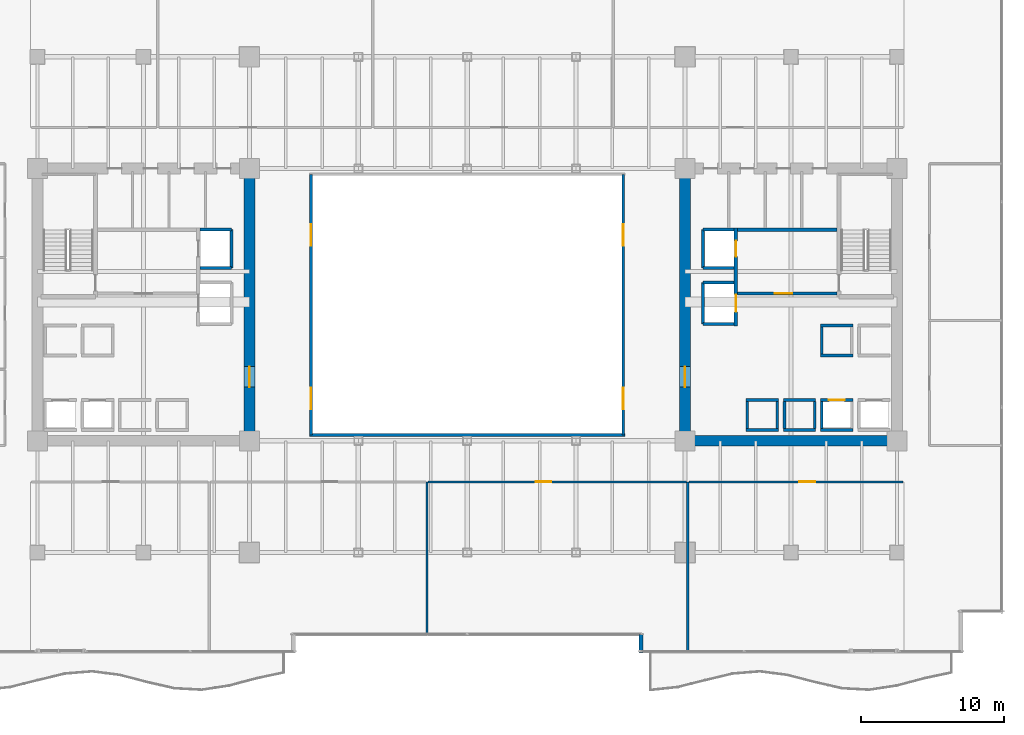
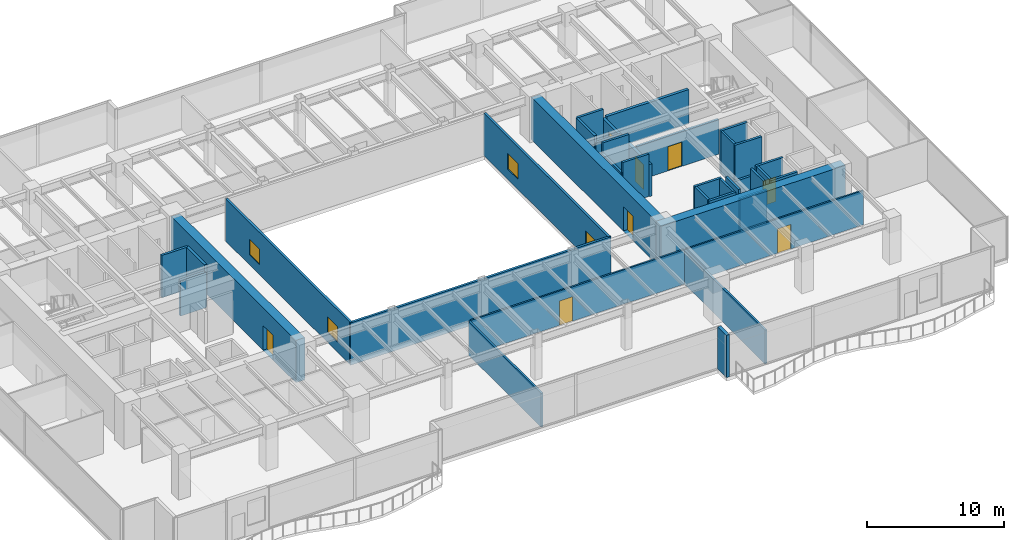
# One storey, part 25 of 32: 37 walls, 8 doors, 4 windows, 12 openings.
"""IFC4 building model written with IfcOpenShell, lengths in metres."""

import ifcopenshell
import ifcopenshell.guid

model = None  # the IFC model being written
_history = None  # IfcOwnerHistory: only IFC2X3 demands one
_inside = {}  # id of a spatial element -> (the spatial element, [elements in it])
_under = {}  # id of a project, library or spatial element -> (it, [spatial elements below it])
_declared = {}  # id of a project -> (the project, [libraries it declares])
_typed = {}  # id of a type object -> (the type object, [elements of that type])
_made_of = {}  # id of a material, layer set ... -> (it, [elements and type objects made of it])


def new_model(schema):
    """Start an empty IFC model of exactly this schema.

    Asked for "IFC4X3", IfcOpenShell would pick the latest addendum, in which some entities
    have other attributes; the version numbers below select the first issue.
    IFC2X3 requires an IfcOwnerHistory on every rooted entity: one is made here for all.
    """
    global model, _history
    if schema == "IFC4X3":
        model = ifcopenshell.file(schema_version=(4, 3, 0, 0))
    else:
        model = ifcopenshell.file(schema=schema)
    _inside.clear()
    _under.clear()
    _declared.clear()
    _typed.clear()
    _made_of.clear()
    _history = None
    if model.schema == "IFC2X3":
        org = make("IfcOrganization", Name="unknown")
        user = make(
            "IfcPersonAndOrganization",
            ThePerson=make("IfcPerson", FamilyName="unknown"),
            TheOrganization=org,
        )
        app = make(
            "IfcApplication",
            ApplicationDeveloper=org,
            Version="unknown",
            ApplicationFullName="unknown",
            ApplicationIdentifier="unknown",
        )
        _history = make(
            "IfcOwnerHistory",
            OwningUser=user,
            OwningApplication=app,
            ChangeAction="ADDED",
            CreationDate=0,
        )
    return model


def make(cls, **values):
    """One entity of the class cls with the attributes given. An attribute that is None is left unset."""
    return model.create_entity(
        cls, **{name: value for name, value in values.items() if value is not None}
    )


def rooted(cls, **values):
    """An entity with a GlobalId (a new one), such as an element, a storey or a relation."""
    return make(cls, GlobalId=ifcopenshell.guid.new(), OwnerHistory=_history, **values)


def si_unit(unit_type, name, prefix=None):
    """IfcSIUnit, for example si_unit("LENGTHUNIT", "METRE", prefix="MILLI")."""
    return make("IfcSIUnit", UnitType=unit_type, Prefix=prefix, Name=name)


def assignment(units):
    """IfcUnitAssignment: the units of a project."""
    return None if units is None else make("IfcUnitAssignment", Units=units)


def point(xyz):
    """IfcCartesianPoint."""
    return None if xyz is None else make("IfcCartesianPoint", Coordinates=xyz)


def direction(xyz):
    """IfcDirection."""
    return None if xyz is None else make("IfcDirection", DirectionRatios=xyz)


def frame(location, z_axis=None, x_axis=None):
    """IfcAxis2Placement3D, a coordinate frame: its origin and axes. An axis left out is left unset."""
    return make(
        "IfcAxis2Placement3D",
        Location=point(location),
        Axis=direction(z_axis),
        RefDirection=direction(x_axis),
    )


def frame_2d(location, x_axis=None):
    """IfcAxis2Placement2D, a coordinate frame in the plane: its origin and x axis."""
    return make(
        "IfcAxis2Placement2D", Location=point(location), RefDirection=direction(x_axis)
    )


def origin():
    """The frame at (0, 0, 0) with its axes left unset."""
    return frame((0.0, 0.0, 0.0))


def place(relative_to, where):
    """IfcLocalPlacement: puts the frame where relative to a parent placement (None: the world)."""
    return make(
        "IfcLocalPlacement", PlacementRelTo=relative_to, RelativePlacement=where
    )


def context(
    kind, dimensions, precision=None, world=None, true_north=None, identifier=None
):
    """IfcGeometricRepresentationContext, for example the 3D "Model" context."""
    return make(
        "IfcGeometricRepresentationContext",
        ContextIdentifier=identifier,
        ContextType=kind,
        CoordinateSpaceDimension=dimensions,
        Precision=precision,
        WorldCoordinateSystem=world,
        TrueNorth=true_north,
    )


def subcontext(parent, identifier, kind, view, scale=None):
    """IfcGeometricRepresentationSubContext, for example "Body" below "Model"."""
    return make(
        "IfcGeometricRepresentationSubContext",
        ContextIdentifier=identifier,
        ContextType=kind,
        ParentContext=parent,
        TargetScale=scale,
        TargetView=view,
    )


def project(units=None, contexts=None):
    """IfcProject with its units and contexts."""
    return rooted(
        "IfcProject",
        Name="project",
        RepresentationContexts=contexts,
        UnitsInContext=assignment(units),
    )


def spatial(cls, under=None, at=None, **own):
    """A site, building, storey or space (cls), placed at a placement, below another one or the project."""
    s = rooted(cls, ObjectPlacement=at, **own)
    if under is not None:
        _under.setdefault(under.id(), (under, []))[1].append(s)
    return s


def profile(cls, at=None, kind="AREA", **sizes):
    """A parametric profile (cls). Its sizes go by their IFC names, for example OverallWidth=200.0."""
    return make(cls, ProfileType=kind, Position=at, **sizes)


def rectangle(**sizes):
    """IfcRectangleProfileDef."""
    return profile("IfcRectangleProfileDef", **sizes)


def extrude(swept, where, along, depth):
    """IfcExtrudedAreaSolid: the profile swept, set in the frame where, extruded along a direction by depth."""
    return make(
        "IfcExtrudedAreaSolid",
        SweptArea=swept,
        Position=where,
        ExtrudedDirection=direction(along),
        Depth=depth,
    )


def shape(context_of_items, identifier, shape_type, items):
    """IfcShapeRepresentation: the items that make up one representation, for example the "Body"."""
    return make(
        "IfcShapeRepresentation",
        ContextOfItems=context_of_items,
        RepresentationIdentifier=identifier,
        RepresentationType=shape_type,
        Items=items,
    )


def source(mapping_origin, context_of_items, identifier, shape_type, items):
    """IfcRepresentationMap: a shape defined once, which mapped items show again and again."""
    return make(
        "IfcRepresentationMap",
        MappingOrigin=mapping_origin,
        MappedRepresentation=shape(context_of_items, identifier, shape_type, items),
    )


def transform(
    local_origin,
    x_axis=None,
    y_axis=None,
    z_axis=None,
    scale=None,
    scale2=None,
    scale3=None,
    uniform=True,
):
    """IfcCartesianTransformationOperator3D, or its non-uniform kind. x_axis, y_axis, z_axis: its Axis1, 2, 3."""
    if uniform:
        return make(
            "IfcCartesianTransformationOperator3D",
            Axis1=direction(x_axis),
            Axis2=direction(y_axis),
            LocalOrigin=point(local_origin),
            Scale=scale,
            Axis3=direction(z_axis),
        )
    return make(
        "IfcCartesianTransformationOperator3DnonUniform",
        Axis1=direction(x_axis),
        Axis2=direction(y_axis),
        LocalOrigin=point(local_origin),
        Scale=scale,
        Axis3=direction(z_axis),
        Scale2=scale2,
        Scale3=scale3,
    )


def mapped(mapping_source, mapping_target):
    """IfcMappedItem: shows the shape of a source again, moved by a transform."""
    return make(
        "IfcMappedItem", MappingSource=mapping_source, MappingTarget=mapping_target
    )


def material(Name=None, Category=None):
    """IfcMaterial."""
    return make("IfcMaterial", Name=Name, Category=Category)


def layer(
    of_material, thickness, ventilated=None, Name=None, Category=None, Priority=None
):
    """IfcMaterialLayer: one layer of a wall or slab, of a material (None: an air gap)."""
    return make(
        "IfcMaterialLayer",
        Material=of_material,
        LayerThickness=thickness,
        IsVentilated=ventilated,
        Name=Name,
        Category=Category,
        Priority=Priority,
    )


def layer_set(layers, Name=None):
    """IfcMaterialLayerSet."""
    return make("IfcMaterialLayerSet", MaterialLayers=layers, LayerSetName=Name)


def made_of(thing, what):
    """Note that an element or type object is made of a material, layer set ...; save() writes the relation."""
    if what is not None:
        _made_of.setdefault(what.id(), (what, []))[1].append(thing)
    return thing


def type_object(cls, material=None, **own):
    """A type object (cls), such as IfcWallType, which elements share."""
    return made_of(rooted(cls, **own), material)


def type_shapes(of_type, sources):
    """Give a type object the sources (RepresentationMaps) that its elements show as mapped items."""
    of_type.RepresentationMaps = sources


def element(
    cls,
    number,
    at=None,
    inside=None,
    cuts=None,
    type_object=None,
    material=None,
    context=None,
    identifier="Body",
    shape_type=None,
    held_by="IfcProductDefinitionShape",
    body=None,
    shapes=None,
    **own,
):
    """One element of the class cls, such as IfcWall. Its Tag is "e" and its number.

    at: its placement. inside: the storey or other place that contains it. cuts: it is an
    opening in that element (IfcRelVoidsElement). A single representation is given by context,
    identifier, shape_type and body (its items); several are given by shapes. held_by: the class
    of the entity that holds the representations. save() writes the other relations.
    """
    e = rooted(cls, Tag="e%d" % number, ObjectPlacement=at, **own)
    if body is not None:
        shapes = [shape(context, identifier, shape_type, body)]
    if shapes is not None:
        e.Representation = make(held_by, Representations=shapes)
    if inside is not None:
        _inside.setdefault(inside.id(), (inside, []))[1].append(e)
    if cuts is not None:
        rooted(
            "IfcRelVoidsElement", RelatingBuildingElement=cuts, RelatedOpeningElement=e
        )
    if type_object is not None:
        _typed.setdefault(type_object.id(), (type_object, []))[1].append(e)
    return made_of(e, material)


def fill(opening, filler):
    """IfcRelFillsElement: the door or window that sits in an opening."""
    return rooted(
        "IfcRelFillsElement",
        RelatingOpeningElement=opening,
        RelatedBuildingElement=filler,
    )


def aggregate(whole, parts):
    """IfcRelAggregates: a whole, such as a stair, and the parts it consists of."""
    return rooted("IfcRelAggregates", RelatingObject=whole, RelatedObjects=parts)


def save(model, path):
    """Write the relations noted so far, then the file.

    IfcRelAggregates (storeys below a building ...), IfcRelContainedInSpatialStructure (elements
    in a storey), IfcRelDefinesByType, IfcRelAssociatesMaterial and IfcRelDeclares: one each for
    every whole, place, type object, material and project.
    """
    for whole, parts in _under.values():
        aggregate(whole, parts)
    for where, things in _inside.values():
        rooted(
            "IfcRelContainedInSpatialStructure",
            RelatedElements=things,
            RelatingStructure=where,
        )
    for kind, things in _typed.values():
        rooted("IfcRelDefinesByType", RelatedObjects=things, RelatingType=kind)
    for what, things in _made_of.values():
        rooted("IfcRelAssociatesMaterial", RelatedObjects=things, RelatingMaterial=what)
    for by, libraries in _declared.values():
        rooted("IfcRelDeclares", RelatingContext=by, RelatedDefinitions=libraries)
    model.write(path)


model = new_model("IFC4")

# Units and contexts
model_context = context("Model", 3, precision=1e-05, world=origin(), true_north=direction((0.0, 1.0)))
body_context = subcontext(model_context, "Body", "Model", "MODEL_VIEW")
ifc_project = project(units=[si_unit("LENGTHUNIT", "METRE"), si_unit("AREAUNIT", "SQUARE_METRE"), si_unit("VOLUMEUNIT", "CUBIC_METRE"), si_unit("PLANEANGLEUNIT", "RADIAN"), si_unit("MASSUNIT", "GRAM", prefix="KILO")], contexts=[model_context])

# Site, building, storey
site_placement = place(None, origin())
site = spatial("IfcSite", under=ifc_project, at=site_placement, CompositionType="ELEMENT")
building_placement = place(site_placement, origin())
building = spatial("IfcBuilding", under=site, at=building_placement, Name="Haelvirn Gate Laboratories", CompositionType="ELEMENT")
storey_placement = place(building_placement, frame((0.0, 0.0, 33.39990234375)))
storey = spatial("IfcBuildingStorey", under=building, at=storey_placement, Name="L08", CompositionType="ELEMENT", Elevation=33.39990234375)

# Walls
ifc_material_1 = material(Name="Thermally-broken bronze aluminium rainscreen & mineral wool", Category="aluminium")
ifc_layer_1 = layer(ifc_material_1, 0.280029296875, Name="EW-TERR-280")
ifc_layer_set_1 = layer_set([ifc_layer_1], Name="Thermally-broken bronze aluminium rainscreen & mineral wool")
wall_type_1 = type_object("IfcWallType", Name="EW-TERR-280", PredefinedType="STANDARD", material=ifc_layer_set_1)
wall_1_placement = place(storey_placement, frame((49.5400390625, 1.2880859375, 0.0), z_axis=(0.0, 0.0, 1.0), x_axis=(0.0, -1.0, 0.0)))
element("IfcWall", 1, at=wall_1_placement, inside=storey, type_object=wall_type_1, Name="L08 Atrium Recess Bronze Return Wall 03", PredefinedType="STANDARD", context=body_context, shape_type="SweptSolid", body=[
    extrude(rectangle(XDim=1.2880859375, YDim=0.280029296875, at=frame_2d((0.64404296875, 0.0))), origin(), (0.0, 0.0, 1.0), 3.780029296875),
])
ifc_material_2 = material(Name="Double-layer acoustic gypsum laboratory partition", Category="gypsum")
ifc_layer_2 = layer(ifc_material_2, 0.159912109375, Name="IW-ACOUST-160")
ifc_layer_set_2 = layer_set([ifc_layer_2], Name="Double-layer acoustic gypsum laboratory partition")
wall_type_2 = type_object("IfcWallType", Name="IW-ACOUST-160", PredefinedType="PARTITIONING", material=ifc_layer_set_2)
wall_2_placement = place(storey_placement, frame((34.60009765625, 1.31005859375, 0.0), z_axis=(0.0, 0.0, 1.0), x_axis=(0.0, 1.0, 0.0)))
element("IfcWall", 2, at=wall_2_placement, inside=storey, type_object=wall_type_2, Name="L08 Interior Wall IW-L08-SDIV-02", PredefinedType="PARTITIONING", context=body_context, shape_type="SweptSolid", body=[
    extrude(rectangle(XDim=10.6298828125, YDim=0.159912109375, at=frame_2d((5.31494140625, 0.0))), origin(), (0.0, 0.0, 1.0), 3.01513671875),
])
wall_3_placement = place(storey_placement, frame((52.800048828125, 0.110107421875, 0.0), z_axis=(0.0, 0.0, 1.0), x_axis=(0.0, 1.0, 0.0)))
element("IfcWall", 3, at=wall_3_placement, inside=storey, type_object=wall_type_2, Name="L08 Interior Wall IW-L08-SDIV-03", PredefinedType="PARTITIONING", context=body_context, shape_type="SweptSolid", body=[
    extrude(rectangle(XDim=11.829833984375, YDim=0.159912109375, at=frame_2d((5.9150390625, 0.0))), origin(), (0.0, 0.0, 1.0), 3.01513671875),
])

# Wall, openings, windows
ifc_material_3 = material(Name="Tempered fire-rated borosilicate glass & anodised aluminium", Category="aluminium")
ifc_layer_3 = layer(ifc_material_3, 0.195068359375, Name="IW-GLAZ-200")
ifc_layer_set_3 = layer_set([ifc_layer_3], Name="Tempered fire-rated borosilicate glass & anodised aluminium")
wall_type_3 = type_object("IfcWallType", Name="IW-GLAZ-200", PredefinedType="SOLIDWALL", material=ifc_layer_set_3)
wall_4_placement = place(storey_placement, frame((26.5, 15.199951171875, 0.0), z_axis=(0.0, 0.0, 1.0), x_axis=(0.0, 1.0, 0.0)))
wall_4 = element("IfcWall", 4, at=wall_4_placement, inside=storey, type_object=wall_type_3, Name="L08 Interior Wall IW-L08-ATRIUM-W", PredefinedType="SOLIDWALL", context=body_context, shape_type="SweptSolid", body=[
    extrude(rectangle(XDim=18.199951171875, YDim=0.195068359375, at=frame_2d((9.10009765625, 0.0))), origin(), (0.0, 0.0, 1.0), 3.780029296875),
])
opening_1_placement = place(wall_4_placement, frame((1.800048828125, 0.0, 0.89990234375)))
opening_1 = element("IfcOpeningElement", 5, at=opening_1_placement, cuts=wall_4, Name="Opening W5", PredefinedType="OPENING", context=body_context, shape_type="SweptSolid", body=[
    extrude(rectangle(XDim=1.5, YDim=1.39990234375, at=frame_2d((0.75, 0.699951171875))), frame((0.0, 0.107421875, 0.0), z_axis=(0.0, -1.0, 0.0), x_axis=(1.0, 0.0, 0.0)), (0.0, 0.0, 1.0), 0.215087890625),
])
opening_2_placement = place(wall_4_placement, frame((13.199951171875, 0.0, 0.89990234375)))
opening_2 = element("IfcOpeningElement", 6, at=opening_2_placement, cuts=wall_4, Name="Opening W5", PredefinedType="OPENING", context=body_context, shape_type="SweptSolid", body=[
    extrude(rectangle(XDim=1.5, YDim=1.39990234375, at=frame_2d((0.75, 0.699951171875))), frame((0.0, 0.107421875, 0.0), z_axis=(0.0, -1.0, 0.0), x_axis=(1.0, 0.0, 0.0)), (0.0, 0.0, 1.0), 0.215087890625),
])
ifc_material_4 = material(Name="Fire-rated EI 120 borosilicate atrium vision glazing", Category="glass")
window_type = type_object("IfcWindowType", Name="WN-ATR-1500", PartitioningType="SINGLE_PANEL", PredefinedType="WINDOW", material=ifc_material_4)
shared_shape_1 = source(origin(), body_context, "Body", "SweptSolid", [
    extrude(rectangle(XDim=1.5, YDim=1.39990234375, at=frame_2d((0.75, 0.699951171875))), frame((0.0, 0.030029296875, 0.0), z_axis=(0.0, -1.0, 0.0), x_axis=(1.0, 0.0, 0.0)), (0.0, 0.0, 1.0), 0.06005859375),
])
type_shapes(window_type, [shared_shape_1])
window_1_placement = place(opening_1_placement, origin())
window_1 = element("IfcWindow", 7, at=window_1_placement, inside=storey, type_object=window_type, Name="L08 Atrium Observation Window 1", OverallHeight=1.39990234375, OverallWidth=1.5, PartitioningType="SINGLE_PANEL", PredefinedType="WINDOW", context=body_context, shape_type="MappedRepresentation", body=[
    mapped(shared_shape_1, transform((0.0, 0.0, 0.0), scale=1.0)),
])
fill(opening_1, window_1)
window_2_placement = place(opening_2_placement, origin())
window_2 = element("IfcWindow", 8, at=window_2_placement, inside=storey, type_object=window_type, Name="L08 Atrium Observation Window 2", OverallHeight=1.39990234375, OverallWidth=1.5, PartitioningType="SINGLE_PANEL", PredefinedType="WINDOW", context=body_context, shape_type="MappedRepresentation", body=[
    mapped(shared_shape_1, transform((0.0, 0.0, 0.0), scale=1.0)),
])
fill(opening_2, window_2)

wall_5_placement = place(storey_placement, frame((48.300048828125, 15.199951171875, 0.0), z_axis=(0.0, 0.0, 1.0), x_axis=(0.0, 1.0, 0.0)))
wall_5 = element("IfcWall", 9, at=wall_5_placement, inside=storey, type_object=wall_type_3, Name="L08 Interior Wall IW-L08-ATRIUM-E", PredefinedType="SOLIDWALL", context=body_context, shape_type="SweptSolid", body=[
    extrude(rectangle(XDim=18.199951171875, YDim=0.195068359375, at=frame_2d((9.10009765625, 0.0))), origin(), (0.0, 0.0, 1.0), 3.780029296875),
])
opening_3_placement = place(wall_5_placement, frame((1.800048828125, 0.0, 0.89990234375)))
opening_3 = element("IfcOpeningElement", 10, at=opening_3_placement, cuts=wall_5, Name="Opening W5", PredefinedType="OPENING", context=body_context, shape_type="SweptSolid", body=[
    extrude(rectangle(XDim=1.5, YDim=1.39990234375, at=frame_2d((0.75, 0.699951171875))), frame((0.0, 0.107421875, 0.0), z_axis=(0.0, -1.0, 0.0), x_axis=(1.0, 0.0, 0.0)), (0.0, 0.0, 1.0), 0.215087890625),
])
opening_4_placement = place(wall_5_placement, frame((13.199951171875, 0.0, 0.89990234375)))
opening_4 = element("IfcOpeningElement", 11, at=opening_4_placement, cuts=wall_5, Name="Opening W5", PredefinedType="OPENING", context=body_context, shape_type="SweptSolid", body=[
    extrude(rectangle(XDim=1.5, YDim=1.39990234375, at=frame_2d((0.75, 0.699951171875))), frame((0.0, 0.107421875, 0.0), z_axis=(0.0, -1.0, 0.0), x_axis=(1.0, 0.0, 0.0)), (0.0, 0.0, 1.0), 0.215087890625),
])
window_3_placement = place(opening_3_placement, origin())
window_3 = element("IfcWindow", 12, at=window_3_placement, inside=storey, type_object=window_type, Name="L08 Atrium Observation Window 1", OverallHeight=1.39990234375, OverallWidth=1.5, PartitioningType="SINGLE_PANEL", PredefinedType="WINDOW", context=body_context, shape_type="MappedRepresentation", body=[
    mapped(shared_shape_1, transform((0.0, 0.0, 0.0), scale=1.0)),
])
fill(opening_3, window_3)
window_4_placement = place(opening_4_placement, origin())
window_4 = element("IfcWindow", 13, at=window_4_placement, inside=storey, type_object=window_type, Name="L08 Atrium Observation Window 2", OverallHeight=1.39990234375, OverallWidth=1.5, PartitioningType="SINGLE_PANEL", PredefinedType="WINDOW", context=body_context, shape_type="MappedRepresentation", body=[
    mapped(shared_shape_1, transform((0.0, 0.0, 0.0), scale=1.0)),
])
fill(opening_4, window_4)

# Wall
wall_6_placement = place(storey_placement, frame((26.39990234375, 15.199951171875, 0.0), z_axis=(0.0, 0.0, 1.0), x_axis=(1.0, 0.0, 0.0)))
element("IfcWall", 14, at=wall_6_placement, inside=storey, type_object=wall_type_3, Name="L08 Interior Wall IW-L08-ATRIUM-S", PredefinedType="SOLIDWALL", context=body_context, shape_type="SweptSolid", body=[
    extrude(rectangle(XDim=22.0, YDim=0.195068359375, at=frame_2d((11.0, 0.0))), origin(), (0.0, 0.0, 1.0), 3.780029296875),
])

# Wall, opening, door
ifc_material_5 = material(Name="Acoustic mineral-wool gypsum board partition", Category="gypsum")
ifc_layer_4 = layer(ifc_material_5, 0.139892578125, Name="IW-PART-140")
ifc_layer_set_4 = layer_set([ifc_layer_4], Name="Acoustic mineral-wool gypsum board partition")
wall_type_4 = type_object("IfcWallType", Name="IW-PART-140", PredefinedType="PARTITIONING", material=ifc_layer_set_4)
wall_7_placement = place(storey_placement, frame((34.679931640625, 11.93994140625, 0.0), z_axis=(0.0, 0.0, 1.0), x_axis=(1.0, 0.0, 0.0)))
wall_7 = element("IfcWall", 15, at=wall_7_placement, inside=storey, type_object=wall_type_4, Name="L08 Interior Wall IW-L08-SCORR-03", PredefinedType="PARTITIONING", context=body_context, shape_type="SweptSolid", body=[
    extrude(rectangle(XDim=18.0400390625, YDim=0.139892578125, at=frame_2d((9.02001953125, 0.0))), origin(), (0.0, 0.0, 1.0), 3.065185546875),
])
opening_5_placement = place(wall_7_placement, frame((7.49560546875, 0.0, 0.0)))
opening_5 = element("IfcOpeningElement", 16, at=opening_5_placement, cuts=wall_7, Name="Opening D1", PredefinedType="OPENING", context=body_context, shape_type="SweptSolid", body=[
    extrude(rectangle(XDim=1.10009765625, YDim=2.179931640625, at=frame_2d((0.550048828125, 1.08984375))), frame((0.0, 0.080078125, 0.0), z_axis=(0.0, -1.0, 0.0), x_axis=(1.0, 0.0, 0.0)), (0.0, 0.0, 1.0), 0.159912109375),
])
ifc_material_6 = material(Name="Vision-panel acoustic solid-core timber lab door", Category="wood")
door_type_1 = type_object("IfcDoorType", Name="DR-LAB-1100", OperationType="NOTDEFINED", PredefinedType="DOOR", material=ifc_material_6)
shared_shape_2 = source(origin(), body_context, "Body", "SweptSolid", [
    extrude(rectangle(XDim=1.10009765625, YDim=2.179931640625, at=frame_2d((0.550048828125, 1.08984375))), frame((0.0, 0.02490234375, 0.0), z_axis=(0.0, -1.0, 0.0), x_axis=(1.0, 0.0, 0.0)), (0.0, 0.0, 1.0), 0.050048828125),
])
type_shapes(door_type_1, [shared_shape_2])
door_1_placement = place(opening_5_placement, origin())
door_1 = element("IfcDoor", 17, at=door_1_placement, inside=storey, type_object=door_type_1, Name="L08 Floor Hydration & Tea Servery Door S3", OperationType="SINGLE_SWING_LEFT", OverallHeight=2.179931640625, OverallWidth=1.10009765625, PredefinedType="DOOR", context=body_context, shape_type="MappedRepresentation", body=[
    mapped(shared_shape_2, transform((0.0, 0.0, 0.0), scale=1.0)),
])
fill(opening_5, door_1)

wall_8_placement = place(storey_placement, frame((52.8798828125, 11.93994140625, 0.0), z_axis=(0.0, 0.0, 1.0), x_axis=(1.0, 0.0, 0.0)))
wall_8 = element("IfcWall", 18, at=wall_8_placement, inside=storey, type_object=wall_type_4, Name="L08 Interior Wall IW-L08-SCORR-04", PredefinedType="PARTITIONING", context=body_context, shape_type="SweptSolid", body=[
    extrude(rectangle(XDim=14.940185546875, YDim=0.139892578125, at=frame_2d((7.47021484375, 0.0))), origin(), (0.0, 0.0, 1.0), 3.065185546875),
])
opening_6_placement = place(wall_8_placement, frame((7.70849609375, 0.0, 0.0)))
opening_6 = element("IfcOpeningElement", 19, at=opening_6_placement, cuts=wall_8, Name="Opening D1", PredefinedType="OPENING", context=body_context, shape_type="SweptSolid", body=[
    extrude(rectangle(XDim=1.10009765625, YDim=2.179931640625, at=frame_2d((0.550048828125, 1.08984375))), frame((0.0, 0.080078125, 0.0), z_axis=(0.0, -1.0, 0.0), x_axis=(1.0, 0.0, 0.0)), (0.0, 0.0, 1.0), 0.159912109375),
])
door_2_placement = place(opening_6_placement, origin())
door_2 = element("IfcDoor", 20, at=door_2_placement, inside=storey, type_object=door_type_1, Name="L08 Researcher Break Pantry Door S4", OperationType="SINGLE_SWING_RIGHT", OverallHeight=2.179931640625, OverallWidth=1.10009765625, PredefinedType="DOOR", context=body_context, shape_type="MappedRepresentation", body=[
    mapped(shared_shape_2, transform((0.0, 0.0, 0.0), scale=1.0)),
])
fill(opening_6, door_2)

# Walls
ifc_material_7 = material(Name="Concrete C40/50", Category="concrete")
ifc_layer_5 = layer(ifc_material_7, 0.179931640625, Name="IW-SHAFT-180")
ifc_layer_set_5 = layer_set([ifc_layer_5], Name="Concrete C40/50")
wall_type_5 = type_object("IfcWallType", Name="IW-SHAFT-180", PredefinedType="SOLIDWALL", material=ifc_layer_set_5)
for number, where, z_axis, x_axis, name in (
    (21, (62.14990234375, 15.64990234375, 0.0), (0.0, 0.0, 1.0), (0.0, 1.0, 0.0), "L08 Interior Wall IW-L08-PL4-SD"),
    (22, (59.550048828125, 15.64990234375, 0.0), (0.0, 0.0, 1.0), (0.0, 1.0, 0.0), "L08 Interior Wall IW-L08-PL7-SD"),
    (23, (61.64990234375, 15.64990234375, 0.0), (0.0, 0.0, 1.0), (0.0, 1.0, 0.0), "L08 Interior Wall IW-L08-PL7-SDE"),
    (24, (56.949951171875, 15.64990234375, 0.0), (0.0, 0.0, 1.0), (0.0, 1.0, 0.0), "L08 Interior Wall IW-L08-PL8-SD"),
    (25, (59.050048828125, 15.64990234375, 0.0), (0.0, 0.0, 1.0), (0.0, 1.0, 0.0), "L08 Interior Wall IW-L08-PL8-SDE"),
):
    element("IfcWall", number, at=place(storey_placement, frame(where, z_axis=z_axis, x_axis=x_axis)), inside=storey, type_object=wall_type_5, Name=name, PredefinedType="SOLIDWALL", context=body_context, shape_type="SweptSolid", body=[
        extrude(rectangle(XDim=1.900146484375, YDim=0.179931640625, at=frame_2d((0.9501953125, 0.0))), origin(), (0.0, 0.0, 1.0), 3.780029296875),
    ])
wall_9_placement = place(storey_placement, frame((62.14990234375, 20.85009765625, 0.0), z_axis=(0.0, 0.0, 1.0), x_axis=(0.0, 1.0, 0.0)))
element("IfcWall", 26, at=wall_9_placement, inside=storey, type_object=wall_type_5, Name="L08 Interior Wall IW-L08-PL12-SD", PredefinedType="SOLIDWALL", context=body_context, shape_type="SweptSolid", body=[
    extrude(rectangle(XDim=1.89990234375, YDim=0.179931640625, at=frame_2d((0.949951171875, 0.0))), origin(), (0.0, 0.0, 1.0), 3.780029296875),
])
ifc_layer_6 = layer(ifc_material_7, 0.199951171875, Name="IW-SHAFT-200")
ifc_layer_set_6 = layer_set([ifc_layer_6], Name="Concrete C40/50")
wall_type_6 = type_object("IfcWallType", Name="IW-SHAFT-200", PredefinedType="SOLIDWALL", material=ifc_layer_set_6)
wall_10_placement = place(storey_placement, frame((20.949951171875, 26.85009765625, 0.0), z_axis=(0.0, 0.0, 1.0), x_axis=(0.0, 1.0, 0.0)))
element("IfcWall", 27, at=wall_10_placement, inside=storey, type_object=wall_type_6, Name="L08 Interior Wall IW-L08-FL1-BK", PredefinedType="SOLIDWALL", context=body_context, shape_type="SweptSolid", body=[
    extrude(rectangle(XDim=2.699951171875, YDim=0.199951171875, at=frame_2d((1.35009765625, 0.0))), origin(), (0.0, 0.0, 1.0), 3.780029296875),
])
wall_11_placement = place(storey_placement, frame((18.760009765625, 29.550048828125, 0.0), z_axis=(0.0, 0.0, 1.0), x_axis=(1.0, 0.0, 0.0)))
element("IfcWall", 28, at=wall_11_placement, inside=storey, type_object=wall_type_6, Name="L08 Interior Wall IW-L08-FL1-N", PredefinedType="SOLIDWALL", context=body_context, shape_type="SweptSolid", body=[
    extrude(rectangle(XDim=2.18994140625, YDim=0.199951171875, at=frame_2d((1.094970703125, 0.0))), origin(), (0.0, 0.0, 1.0), 3.780029296875),
])
wall_12_placement = place(storey_placement, frame((18.760009765625, 26.85009765625, 0.0), z_axis=(0.0, 0.0, 1.0), x_axis=(1.0, 0.0, 0.0)))
element("IfcWall", 29, at=wall_12_placement, inside=storey, type_object=wall_type_6, Name="L08 Interior Wall IW-L08-FL1-S", PredefinedType="SOLIDWALL", context=body_context, shape_type="SweptSolid", body=[
    extrude(rectangle(XDim=2.18994140625, YDim=0.199951171875, at=frame_2d((1.094970703125, 0.0))), origin(), (0.0, 0.0, 1.0), 3.177001953125),
])

# Wall, opening, door
wall_13_placement = place(storey_placement, frame((62.070068359375, 17.64990234375, 0.0), z_axis=(0.0, 0.0, 1.0), x_axis=(1.0, 0.0, 0.0)))
wall_13 = element("IfcWall", 30, at=wall_13_placement, inside=storey, type_object=wall_type_6, Name="L08 Interior Wall IW-L08-PL4-FR", PredefinedType="SOLIDWALL", context=body_context, shape_type="SweptSolid", body=[
    extrude(rectangle(XDim=2.260009765625, YDim=0.199951171875, at=frame_2d((1.1298828125, 0.0))), origin(), (0.0, 0.0, 1.0), 3.780029296875),
])
opening_7_placement = place(wall_13_placement, frame((0.580078125, 0.0, 0.0)))
opening_7 = element("IfcOpeningElement", 31, at=opening_7_placement, cuts=wall_13, Name="Opening LD2", PredefinedType="OPENING", context=body_context, shape_type="SweptSolid", body=[
    extrude(rectangle(XDim=1.10009765625, YDim=2.219970703125, at=frame_2d((0.550048828125, 1.10986328125))), frame((0.0, 0.10986328125, 0.0), z_axis=(0.0, -1.0, 0.0), x_axis=(1.0, 0.0, 0.0)), (0.0, 0.0, 1.0), 0.219970703125),
])
ifc_material_8 = material(Name="Bronze stainless 316L sliding lift landing door")
door_type_2 = type_object("IfcDoorType", Name="DR-LD-1100", OperationType="NOTDEFINED", PredefinedType="USERDEFINED", material=ifc_material_8)
shared_shape_3 = source(origin(), body_context, "Body", "SweptSolid", [
    extrude(rectangle(XDim=1.10009765625, YDim=2.219970703125, at=frame_2d((0.550048828125, 1.10986328125))), frame((0.0, 0.02490234375, 0.0), z_axis=(0.0, -1.0, 0.0), x_axis=(1.0, 0.0, 0.0)), (0.0, 0.0, 1.0), 0.050048828125),
])
type_shapes(door_type_2, [shared_shape_3])
door_3_placement = place(opening_7_placement, origin())
door_3 = element("IfcDoor", 32, at=door_3_placement, inside=storey, type_object=door_type_2, Name="L08 Passenger Lift PL4 Landing Door", ObjectType="LANDING_DOOR", OperationType="SLIDING_TO_RIGHT", OverallHeight=2.219970703125, OverallWidth=1.10009765625, PredefinedType="USERDEFINED", context=body_context, shape_type="MappedRepresentation", body=[
    mapped(shared_shape_3, transform((0.0, 0.0, 0.0), scale=1.0)),
])
fill(opening_7, door_3)

# Walls
wall_14_placement = place(storey_placement, frame((62.070068359375, 15.550048828125, 0.0), z_axis=(0.0, 0.0, 1.0), x_axis=(1.0, 0.0, 0.0)))
element("IfcWall", 33, at=wall_14_placement, inside=storey, type_object=wall_type_6, Name="L08 Interior Wall IW-L08-PL4-BK", PredefinedType="SOLIDWALL", context=body_context, shape_type="SweptSolid", body=[
    extrude(rectangle(XDim=2.260009765625, YDim=0.199951171875, at=frame_2d((1.1298828125, 0.0))), origin(), (0.0, 0.0, 1.0), 3.780029296875),
])
for number, where, z_axis, x_axis, name in (
    (34, (59.469970703125, 17.64990234375, 0.0), (0.0, 0.0, 1.0), (1.0, 0.0, 0.0), "L08 Interior Wall IW-L08-PL7-FR"),
    (35, (59.469970703125, 15.550048828125, 0.0), (0.0, 0.0, 1.0), (1.0, 0.0, 0.0), "L08 Interior Wall IW-L08-PL7-BK"),
):
    element("IfcWall", number, at=place(storey_placement, frame(where, z_axis=z_axis, x_axis=x_axis)), inside=storey, type_object=wall_type_6, Name=name, PredefinedType="SOLIDWALL", context=body_context, shape_type="SweptSolid", body=[
        extrude(rectangle(XDim=2.260009765625, YDim=0.199951171875, at=frame_2d((1.1298828125, 0.0))), origin(), (0.0, 0.0, 1.0), 3.065185546875),
    ])
for number, where, z_axis, x_axis, name in (
    (36, (56.8701171875, 17.64990234375, 0.0), (0.0, 0.0, 1.0), (1.0, 0.0, 0.0), "L08 Interior Wall IW-L08-PL8-FR"),
    (37, (56.8701171875, 15.550048828125, 0.0), (0.0, 0.0, 1.0), (1.0, 0.0, 0.0), "L08 Interior Wall IW-L08-PL8-BK"),
):
    element("IfcWall", number, at=place(storey_placement, frame(where, z_axis=z_axis, x_axis=x_axis)), inside=storey, type_object=wall_type_6, Name=name, PredefinedType="SOLIDWALL", context=body_context, shape_type="SweptSolid", body=[
        extrude(rectangle(XDim=2.259765625, YDim=0.199951171875, at=frame_2d((1.1298828125, 0.0))), origin(), (0.0, 0.0, 1.0), 3.780029296875),
    ])
for number, where, z_axis, x_axis, name in (
    (38, (62.070068359375, 20.75, 0.0), (0.0, 0.0, 1.0), (1.0, 0.0, 0.0), "L08 Interior Wall IW-L08-PL12-FR"),
    (39, (62.070068359375, 22.85009765625, 0.0), (0.0, 0.0, 1.0), (1.0, 0.0, 0.0), "L08 Interior Wall IW-L08-PL12-BK"),
):
    element("IfcWall", number, at=place(storey_placement, frame(where, z_axis=z_axis, x_axis=x_axis)), inside=storey, type_object=wall_type_6, Name=name, PredefinedType="SOLIDWALL", context=body_context, shape_type="SweptSolid", body=[
        extrude(rectangle(XDim=2.260009765625, YDim=0.199951171875, at=frame_2d((1.1298828125, 0.0))), origin(), (0.0, 0.0, 1.0), 3.780029296875),
    ])
wall_15_placement = place(storey_placement, frame((53.85009765625, 26.85009765625, 0.0), z_axis=(0.0, 0.0, 1.0), x_axis=(0.0, 1.0, 0.0)))
element("IfcWall", 40, at=wall_15_placement, inside=storey, type_object=wall_type_6, Name="L08 Interior Wall IW-L08-FL2-BK", PredefinedType="SOLIDWALL", context=body_context, shape_type="SweptSolid", body=[
    extrude(rectangle(XDim=2.699951171875, YDim=0.199951171875, at=frame_2d((1.35009765625, 0.0))), origin(), (0.0, 0.0, 1.0), 3.780029296875),
])
wall_16_placement = place(storey_placement, frame((53.85009765625, 29.550048828125, 0.0), z_axis=(0.0, 0.0, 1.0), x_axis=(1.0, 0.0, 0.0)))
element("IfcWall", 41, at=wall_16_placement, inside=storey, type_object=wall_type_6, Name="L08 Interior Wall IW-L08-FL2-N", PredefinedType="SOLIDWALL", context=body_context, shape_type="SweptSolid", body=[
    extrude(rectangle(XDim=2.18994140625, YDim=0.199951171875, at=frame_2d((1.094970703125, 0.0))), origin(), (0.0, 0.0, 1.0), 3.780029296875),
])
wall_17_placement = place(storey_placement, frame((53.85009765625, 26.85009765625, 0.0), z_axis=(0.0, 0.0, 1.0), x_axis=(1.0, 0.0, 0.0)))
element("IfcWall", 42, at=wall_17_placement, inside=storey, type_object=wall_type_6, Name="L08 Interior Wall IW-L08-FL2-S", PredefinedType="SOLIDWALL", context=body_context, shape_type="SweptSolid", body=[
    extrude(rectangle(XDim=2.18994140625, YDim=0.199951171875, at=frame_2d((1.094970703125, 0.0))), origin(), (0.0, 0.0, 1.0), 3.177001953125),
])
wall_18_placement = place(storey_placement, frame((53.85009765625, 22.949951171875, 0.0), z_axis=(0.0, 0.0, 1.0), x_axis=(0.0, 1.0, 0.0)))
element("IfcWall", 43, at=wall_18_placement, inside=storey, type_object=wall_type_6, Name="L08 Interior Wall IW-L08-SL2-BK", PredefinedType="SOLIDWALL", context=body_context, shape_type="SweptSolid", body=[
    extrude(rectangle(XDim=2.900146484375, YDim=0.199951171875, at=frame_2d((1.4501953125, 0.0))), origin(), (0.0, 0.0, 1.0), 2.864990234375),
])
for number, where, z_axis, x_axis, name in (
    (44, (53.85009765625, 25.85009765625, 0.0), (0.0, 0.0, 1.0), (1.0, 0.0, 0.0), "L08 Interior Wall IW-L08-SL2-N"),
    (45, (53.85009765625, 22.949951171875, 0.0), (0.0, 0.0, 1.0), (1.0, 0.0, 0.0), "L08 Interior Wall IW-L08-SL2-S"),
):
    element("IfcWall", number, at=place(storey_placement, frame(where, z_axis=z_axis, x_axis=x_axis)), inside=storey, type_object=wall_type_6, Name=name, PredefinedType="SOLIDWALL", context=body_context, shape_type="SweptSolid", body=[
        extrude(rectangle(XDim=2.18994140625, YDim=0.199951171875, at=frame_2d((1.094970703125, 0.0))), origin(), (0.0, 0.0, 1.0), 3.780029296875),
    ])

# Wall, opening, door
ifc_layer_7 = layer(ifc_material_7, 0.239990234375, Name="IW-SHAFT-240")
ifc_layer_set_7 = layer_set([ifc_layer_7], Name="Concrete C40/50")
wall_type_7 = type_object("IfcWallType", Name="IW-SHAFT-240", PredefinedType="SOLIDWALL", material=ifc_layer_set_7)
wall_19_placement = place(storey_placement, frame((56.280029296875, 25.080078125, 0.0), z_axis=(0.0, 0.0, 1.0), x_axis=(1.0, 0.0, 0.0)))
wall_19 = element("IfcWall", 46, at=wall_19_placement, inside=storey, type_object=wall_type_7, Name="L08 Interior Wall IW-L08-E-FF-S", PredefinedType="SOLIDWALL", context=body_context, shape_type="SweptSolid", body=[
    extrude(rectangle(XDim=6.919921875, YDim=0.239990234375, at=frame_2d((3.4599609375, 0.0))), origin(), (0.0, 0.0, 1.0), 3.065185546875),
])
opening_8_placement = place(wall_19_placement, frame((2.60009765625, 0.0, 0.0)))
opening_8 = element("IfcOpeningElement", 47, at=opening_8_placement, cuts=wall_19, Name="Opening FD2", PredefinedType="OPENING", context=body_context, shape_type="SweptSolid", body=[
    extrude(rectangle(XDim=1.199951171875, YDim=2.159912109375, at=frame_2d((0.60009765625, 1.080078125))), frame((0.0, 0.1298828125, 0.0), z_axis=(0.0, -1.0, 0.0), x_axis=(1.0, 0.0, 0.0)), (0.0, 0.0, 1.0), 0.260009765625),
])
ifc_material_9 = material(Name="Fire-rated steel SM355 compartment door", Category="steel")
door_type_3 = type_object("IfcDoorType", Name="DR-FD-1200", OperationType="NOTDEFINED", PredefinedType="DOOR", material=ifc_material_9)
shared_shape_4 = source(origin(), body_context, "Body", "SweptSolid", [
    extrude(rectangle(XDim=1.199951171875, YDim=2.159912109375, at=frame_2d((0.60009765625, 1.080078125))), frame((0.0, 0.02490234375, 0.0), z_axis=(0.0, -1.0, 0.0), x_axis=(1.0, 0.0, 0.0)), (0.0, 0.0, 1.0), 0.050048828125),
])
type_shapes(door_type_3, [shared_shape_4])
door_4_placement = place(opening_8_placement, origin())
door_4 = element("IfcDoor", 48, at=door_4_placement, inside=storey, type_object=door_type_3, Name="L08 East Firefighting Lobby Door", OperationType="SINGLE_SWING_LEFT", OverallHeight=2.159912109375, OverallWidth=1.199951171875, PredefinedType="DOOR", context=body_context, shape_type="MappedRepresentation", body=[
    mapped(shared_shape_4, transform((0.0, 0.0, 0.0), scale=1.0)),
])
fill(opening_8, door_4)

# Wall
wall_20_placement = place(storey_placement, frame((56.280029296875, 29.52001953125, 0.0), z_axis=(0.0, 0.0, 1.0), x_axis=(1.0, 0.0, 0.0)))
element("IfcWall", 49, at=wall_20_placement, inside=storey, type_object=wall_type_7, Name="L08 Interior Wall IW-L08-E-FF-N", PredefinedType="SOLIDWALL", context=body_context, shape_type="SweptSolid", body=[
    extrude(rectangle(XDim=6.919921875, YDim=0.239990234375, at=frame_2d((3.4599609375, 0.0))), origin(), (0.0, 0.0, 1.0), 3.065185546875),
])

# Wall, openings, doors
wall_21_placement = place(storey_placement, frame((56.159912109375, 22.800048828125, 0.0), z_axis=(0.0, 0.0, 1.0), x_axis=(0.0, 1.0, 0.0)))
wall_21 = element("IfcWall", 50, at=wall_21_placement, inside=storey, type_object=wall_type_7, Name="L08 Interior Wall IW-L08-E-FF-E", PredefinedType="SOLIDWALL", context=body_context, shape_type="SweptSolid", body=[
    extrude(rectangle(XDim=6.849853515625, YDim=0.239990234375, at=frame_2d((3.4248046875, 0.0))), origin(), (0.0, 0.0, 1.0), 2.864990234375),
])
opening_9_placement = place(wall_21_placement, frame((4.85009765625, 0.0, 0.0)))
opening_9 = element("IfcOpeningElement", 51, at=opening_9_placement, cuts=wall_21, Name="Opening LD2", PredefinedType="OPENING", context=body_context, shape_type="SweptSolid", body=[
    extrude(rectangle(XDim=1.10009765625, YDim=2.219970703125, at=frame_2d((0.550048828125, 1.10986328125))), frame((0.0, 0.1298828125, 0.0), z_axis=(0.0, -1.0, 0.0), x_axis=(1.0, 0.0, 0.0)), (0.0, 0.0, 1.0), 0.260009765625),
])
opening_10_placement = place(wall_21_placement, frame((1.0, 0.0, 0.0)))
opening_10 = element("IfcOpeningElement", 52, at=opening_10_placement, cuts=wall_21, Name="Opening LD1", PredefinedType="OPENING", context=body_context, shape_type="SweptSolid", body=[
    extrude(rectangle(XDim=1.199951171875, YDim=2.219970703125, at=frame_2d((0.60009765625, 1.10986328125))), frame((0.0, 0.1298828125, 0.0), z_axis=(0.0, -1.0, 0.0), x_axis=(1.0, 0.0, 0.0)), (0.0, 0.0, 1.0), 0.260009765625),
])
door_5_placement = place(opening_9_placement, origin())
door_5 = element("IfcDoor", 53, at=door_5_placement, inside=storey, type_object=door_type_2, Name="L08 Firefighting Lift FL2 Landing Door", ObjectType="LANDING_DOOR", OperationType="SLIDING_TO_RIGHT", OverallHeight=2.219970703125, OverallWidth=1.10009765625, PredefinedType="USERDEFINED", context=body_context, shape_type="MappedRepresentation", body=[
    mapped(shared_shape_3, transform((0.0, 0.0, 0.0), scale=1.0)),
])
fill(opening_9, door_5)
ifc_material_10 = material(Name="Stainless steel 316L sliding goods landing door", Category="steel")
door_type_4 = type_object("IfcDoorType", Name="DR-LD-1200", OperationType="NOTDEFINED", PredefinedType="USERDEFINED", material=ifc_material_10)
shared_shape_5 = source(origin(), body_context, "Body", "SweptSolid", [
    extrude(rectangle(XDim=1.199951171875, YDim=2.219970703125, at=frame_2d((0.60009765625, 1.10986328125))), frame((0.0, 0.02490234375, 0.0), z_axis=(0.0, -1.0, 0.0), x_axis=(1.0, 0.0, 0.0)), (0.0, 0.0, 1.0), 0.050048828125),
])
type_shapes(door_type_4, [shared_shape_5])
door_6_placement = place(opening_10_placement, origin())
door_6 = element("IfcDoor", 54, at=door_6_placement, inside=storey, type_object=door_type_4, Name="L08 Service Lift SL2 Landing Door", ObjectType="LANDING_DOOR", OperationType="SLIDING_TO_LEFT", OverallHeight=2.219970703125, OverallWidth=1.199951171875, PredefinedType="USERDEFINED", context=body_context, shape_type="MappedRepresentation", body=[
    mapped(shared_shape_5, transform((0.0, 0.0, 0.0), scale=1.0)),
])
fill(opening_10, door_6)

# Wall, opening, door
ifc_material_11 = material(Name="Concrete C70/85", Category="concrete")
ifc_layer_8 = layer(ifc_material_11, 0.75, Name="SW-CORE-750")
ifc_layer_set_8 = layer_set([ifc_layer_8], Name="Concrete C70/85")
wall_type_8 = type_object("IfcWallType", Name="SW-CORE-750", PredefinedType="SHEAR", material=ifc_layer_set_8)
wall_22_placement = place(storey_placement, frame((22.199951171875, 15.175048828125, 0.0), z_axis=(0.0, 0.0, 1.0), x_axis=(0.0, 1.0, 0.0)))
wall_22 = element("IfcWall", 55, at=wall_22_placement, inside=storey, type_object=wall_type_8, Name="L08 W Core Shear Wall E", PredefinedType="SHEAR", context=body_context, shape_type="SweptSolid", body=[
    extrude(rectangle(XDim=18.25, YDim=0.75, at=frame_2d((9.125, 0.0))), origin(), (0.0, 0.0, 1.0), 3.780029296875),
])
opening_11_placement = place(wall_22_placement, frame((3.375, 0.0, 0.0)))
opening_11 = element("IfcOpeningElement", 56, at=opening_11_placement, cuts=wall_22, Name="Opening FD1", PredefinedType="OPENING", context=body_context, shape_type="SweptSolid", body=[
    extrude(rectangle(XDim=1.419921875, YDim=2.199951171875, at=frame_2d((0.7099609375, 1.10009765625))), frame((0.0, 0.385009765625, 0.0), z_axis=(0.0, -1.0, 0.0), x_axis=(1.0, 0.0, 0.0)), (0.0, 0.0, 1.0), 0.77001953125),
])
ifc_material_12 = material(Name="Fire-rated double steel SM355 lobby door", Category="steel")
door_type_5 = type_object("IfcDoorType", Name="DR-FD-1400", OperationType="NOTDEFINED", PredefinedType="DOOR", material=ifc_material_12)
shared_shape_6 = source(origin(), body_context, "Body", "SweptSolid", [
    extrude(rectangle(XDim=1.419921875, YDim=2.199951171875, at=frame_2d((0.7099609375, 1.10009765625))), frame((0.0, 0.02490234375, 0.0), z_axis=(0.0, -1.0, 0.0), x_axis=(1.0, 0.0, 0.0)), (0.0, 0.0, 1.0), 0.050048828125),
])
type_shapes(door_type_5, [shared_shape_6])
door_7_placement = place(opening_11_placement, origin())
door_7 = element("IfcDoor", 57, at=door_7_placement, inside=storey, type_object=door_type_5, Name="L08 West Core Lift Lobby Fire Door", OperationType="DOUBLE_DOOR_SINGLE_SWING", OverallHeight=2.199951171875, OverallWidth=1.419921875, PredefinedType="DOOR", context=body_context, shape_type="MappedRepresentation", body=[
    mapped(shared_shape_6, transform((0.0, 0.0, 0.0), scale=1.0)),
])
fill(opening_11, door_7)

# Wall
wall_23_placement = place(storey_placement, frame((52.22509765625, 14.800048828125, 0.0), z_axis=(0.0, 0.0, 1.0), x_axis=(1.0, 0.0, 0.0)))
element("IfcWall", 58, at=wall_23_placement, inside=storey, type_object=wall_type_8, Name="L08 E Core Shear Wall S", PredefinedType="SHEAR", context=body_context, shape_type="SweptSolid", body=[
    extrude(rectangle(XDim=15.5498046875, YDim=0.75, at=frame_2d((7.77490234375, 0.0))), origin(), (0.0, 0.0, 1.0), 3.780029296875),
])

# Wall, opening, door
wall_24_placement = place(storey_placement, frame((52.60009765625, 15.175048828125, 0.0), z_axis=(0.0, 0.0, 1.0), x_axis=(0.0, 1.0, 0.0)))
wall_24 = element("IfcWall", 59, at=wall_24_placement, inside=storey, type_object=wall_type_8, Name="L08 E Core Shear Wall W", PredefinedType="SHEAR", context=body_context, shape_type="SweptSolid", body=[
    extrude(rectangle(XDim=18.25, YDim=0.75, at=frame_2d((9.125, 0.0))), origin(), (0.0, 0.0, 1.0), 3.780029296875),
])
opening_12_placement = place(wall_24_placement, frame((3.375, 0.0, 0.0)))
opening_12 = element("IfcOpeningElement", 60, at=opening_12_placement, cuts=wall_24, Name="Opening FD1", PredefinedType="OPENING", context=body_context, shape_type="SweptSolid", body=[
    extrude(rectangle(XDim=1.419921875, YDim=2.199951171875, at=frame_2d((0.7099609375, 1.10009765625))), frame((0.0, 0.385009765625, 0.0), z_axis=(0.0, -1.0, 0.0), x_axis=(1.0, 0.0, 0.0)), (0.0, 0.0, 1.0), 0.77001953125),
])
door_8_placement = place(opening_12_placement, origin())
door_8 = element("IfcDoor", 61, at=door_8_placement, inside=storey, type_object=door_type_5, Name="L08 East Core Lift Lobby Fire Door", OperationType="DOUBLE_DOOR_SINGLE_SWING", OverallHeight=2.199951171875, OverallWidth=1.419921875, PredefinedType="DOOR", context=body_context, shape_type="MappedRepresentation", body=[
    mapped(shared_shape_6, transform((0.0, 0.0, 0.0), scale=1.0)),
])
fill(opening_12, door_8)

save(model, "model.ifc")
